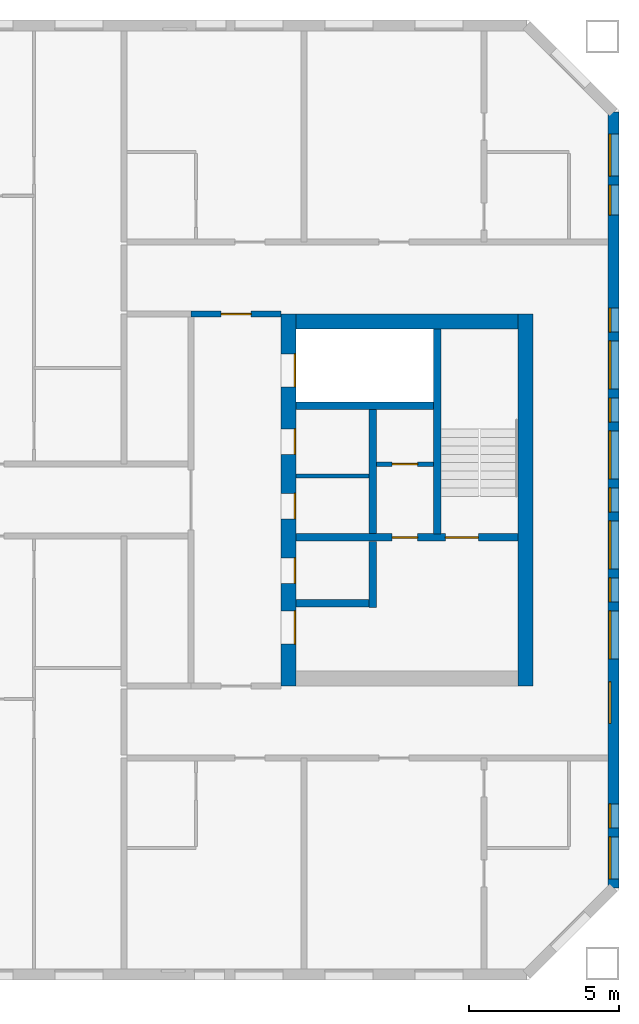
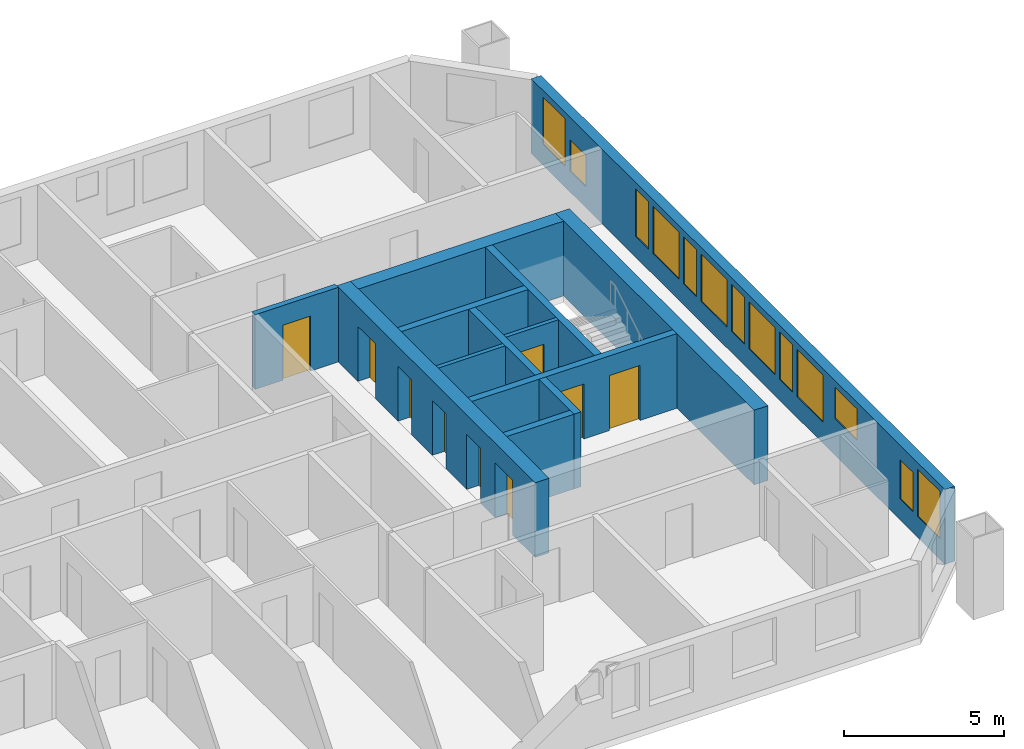
# One storey, part 12 of 15: 13 walls, 13 windows, 9 doors, 22 openings.
"""IFC4 building model written with IfcOpenShell, lengths in metres."""

from ifc_helpers import new_model, si_unit, direction, frame, frame_2d, origin, place, context, subcontext, project, spatial, rectangle, extrude, material, layer, layer_set, type_object, element, fill, save


model = new_model("IFC4")

# Units and contexts
model_context = context("Model", 3, precision=1e-05, world=origin(), true_north=direction((0.0, 1.0)))
body_context = subcontext(model_context, "Body", "Model", "MODEL_VIEW")
ifc_project = project(units=[si_unit("LENGTHUNIT", "METRE"), si_unit("AREAUNIT", "SQUARE_METRE"), si_unit("VOLUMEUNIT", "CUBIC_METRE"), si_unit("PLANEANGLEUNIT", "RADIAN"), si_unit("MASSUNIT", "GRAM", prefix="KILO")], contexts=[model_context])

# Site, building, storey
site_placement = place(None, origin())
site = spatial("IfcSite", under=ifc_project, at=site_placement, CompositionType="ELEMENT")
building_placement = place(site_placement, origin())
building = spatial("IfcBuilding", under=site, at=building_placement, Name="Tuart Gate Housing", CompositionType="ELEMENT")
storey_placement = place(building_placement, frame((0.0, 0.0, 160.89990234375)))
storey = spatial("IfcBuildingStorey", under=building, at=storey_placement, Name="L45", CompositionType="ELEMENT", Elevation=160.89990234375)

# Wall, openings, windows
ifc_material_1 = material(Name="Brick", Category="masonry")
ifc_layer_1 = layer(ifc_material_1, 0.360107421875)
ifc_layer_set_1 = layer_set([ifc_layer_1], Name="Brick pier and spandrel wall 360")
wall_type_1 = type_object("IfcWallType", Name="Brick pier and spandrel wall 360", PredefinedType="STANDARD", material=ifc_layer_set_1)
wall_1_placement = place(storey_placement, frame((171.320068359375, 57.07470703125, 0.0), z_axis=(0.0, 0.0, 1.0), x_axis=(0.0, 1.0, 0.0)))
wall_1 = element("IfcWall", 1, at=wall_1_placement, inside=storey, type_object=wall_type_1, Name="External wall B-E L45", PredefinedType="STANDARD", context=body_context, shape_type="SweptSolid", body=[
    extrude(rectangle(XDim=25.850830078125, YDim=0.360107421875, at=frame_2d((12.92529296875, 0.0))), origin(), (0.0, 0.0, 1.0), 2.85009765625),
])
opening_1_placement = place(wall_1_placement, frame((0.300048828125, 0.0, 0.800048828125)))
opening_1 = element("IfcOpeningElement", 2, at=opening_1_placement, cuts=wall_1, Name="Opening W1A", PredefinedType="OPENING", context=body_context, shape_type="SweptSolid", body=[
    extrude(rectangle(XDim=1.39990234375, YDim=1.800048828125, at=frame_2d((0.699951171875, 0.89990234375))), frame((0.0, 0.18994140625, 0.0), z_axis=(0.0, -1.0, 0.0), x_axis=(1.0, 0.0, 0.0)), (0.0, 0.0, 1.0), 0.380126953125),
])
opening_2_placement = place(wall_1_placement, frame((5.475341796875, 0.0, 1.39990234375)))
opening_2 = element("IfcOpeningElement", 3, at=opening_2_placement, cuts=wall_1, Name="Opening W1M", PredefinedType="OPENING", context=body_context, shape_type="SweptSolid", body=[
    extrude(rectangle(XDim=1.39990234375, YDim=1.199951171875, at=frame_2d((0.699951171875, 0.60009765625))), frame((0.0, 0.18994140625, 0.0), z_axis=(0.0, -1.0, 0.0), x_axis=(1.0, 0.0, 0.0)), (0.0, 0.0, 1.0), 0.380126953125),
])
opening_3_placement = place(wall_1_placement, frame((7.62548828125, 0.0, 0.800048828125)))
opening_3 = element("IfcOpeningElement", 4, at=opening_3_placement, cuts=wall_1, Name="Opening W1", PredefinedType="OPENING", context=body_context, shape_type="SweptSolid", body=[
    extrude(rectangle(XDim=1.60009765625, YDim=1.800048828125, at=frame_2d((0.800048828125, 0.89990234375))), frame((0.0, 0.18994140625, 0.0), z_axis=(0.0, -1.0, 0.0), x_axis=(1.0, 0.0, 0.0)), (0.0, 0.0, 1.0), 0.380126953125),
])
opening_4_placement = place(wall_1_placement, frame((10.62548828125, 0.0, 0.800048828125)))
opening_4 = element("IfcOpeningElement", 5, at=opening_4_placement, cuts=wall_1, Name="Opening W1", PredefinedType="OPENING", context=body_context, shape_type="SweptSolid", body=[
    extrude(rectangle(XDim=1.60009765625, YDim=1.800048828125, at=frame_2d((0.800048828125, 0.89990234375))), frame((0.0, 0.18994140625, 0.0), z_axis=(0.0, -1.0, 0.0), x_axis=(1.0, 0.0, 0.0)), (0.0, 0.0, 1.0), 0.380126953125),
])
opening_5_placement = place(wall_1_placement, frame((13.62548828125, 0.0, 0.800048828125)))
opening_5 = element("IfcOpeningElement", 6, at=opening_5_placement, cuts=wall_1, Name="Opening W1", PredefinedType="OPENING", context=body_context, shape_type="SweptSolid", body=[
    extrude(rectangle(XDim=1.60009765625, YDim=1.800048828125, at=frame_2d((0.800048828125, 0.89990234375))), frame((0.0, 0.18994140625, 0.0), z_axis=(0.0, -1.0, 0.0), x_axis=(1.0, 0.0, 0.0)), (0.0, 0.0, 1.0), 0.380126953125),
])
opening_6_placement = place(wall_1_placement, frame((16.62548828125, 0.0, 0.800048828125)))
opening_6 = element("IfcOpeningElement", 7, at=opening_6_placement, cuts=wall_1, Name="Opening W1", PredefinedType="OPENING", context=body_context, shape_type="SweptSolid", body=[
    extrude(rectangle(XDim=1.60009765625, YDim=1.800048828125, at=frame_2d((0.800048828125, 0.89990234375))), frame((0.0, 0.18994140625, 0.0), z_axis=(0.0, -1.0, 0.0), x_axis=(1.0, 0.0, 0.0)), (0.0, 0.0, 1.0), 0.380126953125),
])
opening_7_placement = place(wall_1_placement, frame((9.525390625, 0.0, 0.800048828125)))
opening_7 = element("IfcOpeningElement", 8, at=opening_7_placement, cuts=wall_1, Name="Opening W1D", PredefinedType="OPENING", context=body_context, shape_type="SweptSolid", body=[
    extrude(rectangle(XDim=0.800048828125, YDim=1.800048828125, at=frame_2d((0.39990234375, 0.89990234375))), frame((0.0, 0.18994140625, 0.0), z_axis=(0.0, -1.0, 0.0), x_axis=(1.0, 0.0, 0.0)), (0.0, 0.0, 1.0), 0.380126953125),
])
opening_8_placement = place(wall_1_placement, frame((22.42529296875, 0.0, 0.800048828125)))
opening_8 = element("IfcOpeningElement", 9, at=opening_8_placement, cuts=wall_1, Name="Opening W1O", PredefinedType="OPENING", context=body_context, shape_type="SweptSolid", body=[
    extrude(rectangle(XDim=1.0, YDim=1.199951171875, at=frame_2d((0.5, 0.60009765625))), frame((0.0, 0.18994140625, 0.0), z_axis=(0.0, -1.0, 0.0), x_axis=(1.0, 0.0, 0.0)), (0.0, 0.0, 1.0), 0.380126953125),
])
opening_9_placement = place(wall_1_placement, frame((2.0, 0.0, 0.800048828125)))
opening_9 = element("IfcOpeningElement", 10, at=opening_9_placement, cuts=wall_1, Name="Opening W1J", PredefinedType="OPENING", context=body_context, shape_type="SweptSolid", body=[
    extrude(rectangle(XDim=0.800048828125, YDim=1.5, at=frame_2d((0.39990234375, 0.75))), frame((0.0, 0.18994140625, 0.0), z_axis=(0.0, -1.0, 0.0), x_axis=(1.0, 0.0, 0.0)), (0.0, 0.0, 1.0), 0.380126953125),
])
opening_10_placement = place(wall_1_placement, frame((12.525390625, 0.0, 0.800048828125)))
opening_10 = element("IfcOpeningElement", 11, at=opening_10_placement, cuts=wall_1, Name="Opening W1D", PredefinedType="OPENING", context=body_context, shape_type="SweptSolid", body=[
    extrude(rectangle(XDim=0.800048828125, YDim=1.800048828125, at=frame_2d((0.39990234375, 0.89990234375))), frame((0.0, 0.18994140625, 0.0), z_axis=(0.0, -1.0, 0.0), x_axis=(1.0, 0.0, 0.0)), (0.0, 0.0, 1.0), 0.380126953125),
])
opening_11_placement = place(wall_1_placement, frame((15.525390625, 0.0, 0.800048828125)))
opening_11 = element("IfcOpeningElement", 12, at=opening_11_placement, cuts=wall_1, Name="Opening W1D", PredefinedType="OPENING", context=body_context, shape_type="SweptSolid", body=[
    extrude(rectangle(XDim=0.800048828125, YDim=1.800048828125, at=frame_2d((0.39990234375, 0.89990234375))), frame((0.0, 0.18994140625, 0.0), z_axis=(0.0, -1.0, 0.0), x_axis=(1.0, 0.0, 0.0)), (0.0, 0.0, 1.0), 0.380126953125),
])
opening_12_placement = place(wall_1_placement, frame((18.525390625, 0.0, 0.800048828125)))
opening_12 = element("IfcOpeningElement", 13, at=opening_12_placement, cuts=wall_1, Name="Opening W1D", PredefinedType="OPENING", context=body_context, shape_type="SweptSolid", body=[
    extrude(rectangle(XDim=0.800048828125, YDim=1.800048828125, at=frame_2d((0.39990234375, 0.89990234375))), frame((0.0, 0.18994140625, 0.0), z_axis=(0.0, -1.0, 0.0), x_axis=(1.0, 0.0, 0.0)), (0.0, 0.0, 1.0), 0.380126953125),
])
opening_13_placement = place(wall_1_placement, frame((23.725341796875, 0.0, 0.800048828125)))
opening_13 = element("IfcOpeningElement", 14, at=opening_13_placement, cuts=wall_1, Name="Opening W1A", PredefinedType="OPENING", context=body_context, shape_type="SweptSolid", body=[
    extrude(rectangle(XDim=1.39990234375, YDim=1.800048828125, at=frame_2d((0.699951171875, 0.89990234375))), frame((0.0, 0.18994140625, 0.0), z_axis=(0.0, -1.0, 0.0), x_axis=(1.0, 0.0, 0.0)), (0.0, 0.0, 1.0), 0.380126953125),
])
ifc_material_2 = material(Name="Aluminium frame with clear glass", Category="aluminium")
window_type_1 = type_object("IfcWindowType", Name="Punched window 1000 x 1200", PartitioningType="SINGLE_PANEL", PredefinedType="WINDOW", material=ifc_material_2)
window_1_placement = place(opening_8_placement, origin())
window_1 = element("IfcWindow", 15, at=window_1_placement, inside=storey, type_object=window_type_1, Name="Window W1O", OverallHeight=1.199951171875, OverallWidth=1.0, PartitioningType="SINGLE_PANEL", PredefinedType="WINDOW", context=body_context, shape_type="SweptSolid", body=[
    extrude(rectangle(XDim=1.0, YDim=1.199951171875, at=frame_2d((0.5, 0.60009765625))), frame((0.0, 0.150146484375, 0.0), z_axis=(0.0, -1.0, 0.0), x_axis=(1.0, 0.0, 0.0)), (0.0, 0.0, 1.0), 0.06005859375),
])
fill(opening_8, window_1)
ifc_material_3 = material(Name="Aluminium frame with clear glass", Category="aluminium")
window_type_2 = type_object("IfcWindowType", Name="Punched window 1400 x 1200", PartitioningType="SINGLE_PANEL", PredefinedType="WINDOW", material=ifc_material_3)
window_2_placement = place(opening_2_placement, origin())
window_2 = element("IfcWindow", 16, at=window_2_placement, inside=storey, type_object=window_type_2, Name="Window W1M", OverallHeight=1.199951171875, OverallWidth=1.39990234375, PartitioningType="SINGLE_PANEL", PredefinedType="WINDOW", context=body_context, shape_type="SweptSolid", body=[
    extrude(rectangle(XDim=1.39990234375, YDim=1.199951171875, at=frame_2d((0.699951171875, 0.60009765625))), frame((0.0, 0.150146484375, 0.0), z_axis=(0.0, -1.0, 0.0), x_axis=(1.0, 0.0, 0.0)), (0.0, 0.0, 1.0), 0.06005859375),
])
fill(opening_2, window_2)
ifc_material_4 = material(Name="Aluminium frame with clear glass", Category="aluminium")
window_type_3 = type_object("IfcWindowType", Name="Punched window 1400 x 1800", PartitioningType="SINGLE_PANEL", PredefinedType="WINDOW", material=ifc_material_4)
window_3_placement = place(opening_1_placement, origin())
window_3 = element("IfcWindow", 17, at=window_3_placement, inside=storey, type_object=window_type_3, Name="Window W1A", OverallHeight=1.800048828125, OverallWidth=1.39990234375, PartitioningType="SINGLE_PANEL", PredefinedType="WINDOW", context=body_context, shape_type="SweptSolid", body=[
    extrude(rectangle(XDim=1.39990234375, YDim=1.800048828125, at=frame_2d((0.699951171875, 0.89990234375))), frame((0.0, 0.150146484375, 0.0), z_axis=(0.0, -1.0, 0.0), x_axis=(1.0, 0.0, 0.0)), (0.0, 0.0, 1.0), 0.06005859375),
])
fill(opening_1, window_3)
window_4_placement = place(opening_13_placement, origin())
window_4 = element("IfcWindow", 18, at=window_4_placement, inside=storey, type_object=window_type_3, Name="Window W1A", OverallHeight=1.800048828125, OverallWidth=1.39990234375, PartitioningType="SINGLE_PANEL", PredefinedType="WINDOW", context=body_context, shape_type="SweptSolid", body=[
    extrude(rectangle(XDim=1.39990234375, YDim=1.800048828125, at=frame_2d((0.699951171875, 0.89990234375))), frame((0.0, 0.150146484375, 0.0), z_axis=(0.0, -1.0, 0.0), x_axis=(1.0, 0.0, 0.0)), (0.0, 0.0, 1.0), 0.06005859375),
])
fill(opening_13, window_4)
ifc_material_5 = material(Name="Aluminium frame with clear glass", Category="aluminium")
window_type_4 = type_object("IfcWindowType", Name="Punched window 1600 x 1800", PartitioningType="SINGLE_PANEL", PredefinedType="WINDOW", material=ifc_material_5)
window_5_placement = place(opening_3_placement, origin())
window_5 = element("IfcWindow", 19, at=window_5_placement, inside=storey, type_object=window_type_4, Name="Window W1", OverallHeight=1.800048828125, OverallWidth=1.60009765625, PartitioningType="SINGLE_PANEL", PredefinedType="WINDOW", context=body_context, shape_type="SweptSolid", body=[
    extrude(rectangle(XDim=1.60009765625, YDim=1.800048828125, at=frame_2d((0.800048828125, 0.89990234375))), frame((0.0, 0.150146484375, 0.0), z_axis=(0.0, -1.0, 0.0), x_axis=(1.0, 0.0, 0.0)), (0.0, 0.0, 1.0), 0.06005859375),
])
fill(opening_3, window_5)
window_6_placement = place(opening_4_placement, origin())
window_6 = element("IfcWindow", 20, at=window_6_placement, inside=storey, type_object=window_type_4, Name="Window W1", OverallHeight=1.800048828125, OverallWidth=1.60009765625, PartitioningType="SINGLE_PANEL", PredefinedType="WINDOW", context=body_context, shape_type="SweptSolid", body=[
    extrude(rectangle(XDim=1.60009765625, YDim=1.800048828125, at=frame_2d((0.800048828125, 0.89990234375))), frame((0.0, 0.150146484375, 0.0), z_axis=(0.0, -1.0, 0.0), x_axis=(1.0, 0.0, 0.0)), (0.0, 0.0, 1.0), 0.06005859375),
])
fill(opening_4, window_6)
window_7_placement = place(opening_5_placement, origin())
window_7 = element("IfcWindow", 21, at=window_7_placement, inside=storey, type_object=window_type_4, Name="Window W1", OverallHeight=1.800048828125, OverallWidth=1.60009765625, PartitioningType="SINGLE_PANEL", PredefinedType="WINDOW", context=body_context, shape_type="SweptSolid", body=[
    extrude(rectangle(XDim=1.60009765625, YDim=1.800048828125, at=frame_2d((0.800048828125, 0.89990234375))), frame((0.0, 0.150146484375, 0.0), z_axis=(0.0, -1.0, 0.0), x_axis=(1.0, 0.0, 0.0)), (0.0, 0.0, 1.0), 0.06005859375),
])
fill(opening_5, window_7)
window_8_placement = place(opening_6_placement, origin())
window_8 = element("IfcWindow", 22, at=window_8_placement, inside=storey, type_object=window_type_4, Name="Window W1", OverallHeight=1.800048828125, OverallWidth=1.60009765625, PartitioningType="SINGLE_PANEL", PredefinedType="WINDOW", context=body_context, shape_type="SweptSolid", body=[
    extrude(rectangle(XDim=1.60009765625, YDim=1.800048828125, at=frame_2d((0.800048828125, 0.89990234375))), frame((0.0, 0.150146484375, 0.0), z_axis=(0.0, -1.0, 0.0), x_axis=(1.0, 0.0, 0.0)), (0.0, 0.0, 1.0), 0.06005859375),
])
fill(opening_6, window_8)
ifc_material_6 = material(Name="Aluminium frame with clear glass", Category="aluminium")
window_type_5 = type_object("IfcWindowType", Name="Punched window 800 x 1500", PartitioningType="SINGLE_PANEL", PredefinedType="WINDOW", material=ifc_material_6)
window_9_placement = place(opening_9_placement, origin())
window_9 = element("IfcWindow", 23, at=window_9_placement, inside=storey, type_object=window_type_5, Name="Window W1J", OverallHeight=1.5, OverallWidth=0.800048828125, PartitioningType="SINGLE_PANEL", PredefinedType="WINDOW", context=body_context, shape_type="SweptSolid", body=[
    extrude(rectangle(XDim=0.800048828125, YDim=1.5, at=frame_2d((0.39990234375, 0.75))), frame((0.0, 0.150146484375, 0.0), z_axis=(0.0, -1.0, 0.0), x_axis=(1.0, 0.0, 0.0)), (0.0, 0.0, 1.0), 0.06005859375),
])
fill(opening_9, window_9)
ifc_material_7 = material(Name="Aluminium frame with clear glass", Category="aluminium")
window_type_6 = type_object("IfcWindowType", Name="Punched window 800 x 1800", PartitioningType="SINGLE_PANEL", PredefinedType="WINDOW", material=ifc_material_7)
window_10_placement = place(opening_7_placement, origin())
window_10 = element("IfcWindow", 24, at=window_10_placement, inside=storey, type_object=window_type_6, Name="Window W1D", OverallHeight=1.800048828125, OverallWidth=0.800048828125, PartitioningType="SINGLE_PANEL", PredefinedType="WINDOW", context=body_context, shape_type="SweptSolid", body=[
    extrude(rectangle(XDim=0.800048828125, YDim=1.800048828125, at=frame_2d((0.39990234375, 0.89990234375))), frame((0.0, 0.150146484375, 0.0), z_axis=(0.0, -1.0, 0.0), x_axis=(1.0, 0.0, 0.0)), (0.0, 0.0, 1.0), 0.06005859375),
])
fill(opening_7, window_10)
window_11_placement = place(opening_10_placement, origin())
window_11 = element("IfcWindow", 25, at=window_11_placement, inside=storey, type_object=window_type_6, Name="Window W1D", OverallHeight=1.800048828125, OverallWidth=0.800048828125, PartitioningType="SINGLE_PANEL", PredefinedType="WINDOW", context=body_context, shape_type="SweptSolid", body=[
    extrude(rectangle(XDim=0.800048828125, YDim=1.800048828125, at=frame_2d((0.39990234375, 0.89990234375))), frame((0.0, 0.150146484375, 0.0), z_axis=(0.0, -1.0, 0.0), x_axis=(1.0, 0.0, 0.0)), (0.0, 0.0, 1.0), 0.06005859375),
])
fill(opening_10, window_11)
window_12_placement = place(opening_11_placement, origin())
window_12 = element("IfcWindow", 26, at=window_12_placement, inside=storey, type_object=window_type_6, Name="Window W1D", OverallHeight=1.800048828125, OverallWidth=0.800048828125, PartitioningType="SINGLE_PANEL", PredefinedType="WINDOW", context=body_context, shape_type="SweptSolid", body=[
    extrude(rectangle(XDim=0.800048828125, YDim=1.800048828125, at=frame_2d((0.39990234375, 0.89990234375))), frame((0.0, 0.150146484375, 0.0), z_axis=(0.0, -1.0, 0.0), x_axis=(1.0, 0.0, 0.0)), (0.0, 0.0, 1.0), 0.06005859375),
])
fill(opening_11, window_12)
window_13_placement = place(opening_12_placement, origin())
window_13 = element("IfcWindow", 27, at=window_13_placement, inside=storey, type_object=window_type_6, Name="Window W1D", OverallHeight=1.800048828125, OverallWidth=0.800048828125, PartitioningType="SINGLE_PANEL", PredefinedType="WINDOW", context=body_context, shape_type="SweptSolid", body=[
    extrude(rectangle(XDim=0.800048828125, YDim=1.800048828125, at=frame_2d((0.39990234375, 0.89990234375))), frame((0.0, 0.150146484375, 0.0), z_axis=(0.0, -1.0, 0.0), x_axis=(1.0, 0.0, 0.0)), (0.0, 0.0, 1.0), 0.06005859375),
])
fill(opening_12, window_13)

# Wall, opening, door
ifc_material_8 = material(Name="Plasterboard partition")
ifc_layer_2 = layer(ifc_material_8, 0.14990234375)
ifc_layer_set_2 = layer_set([ifc_layer_2], Name="Core partition 150")
wall_type_2 = type_object("IfcWallType", Name="Core partition 150", PredefinedType="PARTITIONING", material=ifc_layer_set_2)
wall_2_placement = place(storey_placement, frame((163.4150390625, 71.199951171875, 0.0), z_axis=(0.0, 0.0, 1.0), x_axis=(1.0, 0.0, 0.0)))
wall_2 = element("IfcWall", 28, at=wall_2_placement, inside=storey, type_object=wall_type_2, Name="Core partition BK.2", PredefinedType="PARTITIONING", context=body_context, shape_type="SweptSolid", body=[
    extrude(rectangle(XDim=1.89990234375, YDim=0.14990234375, at=frame_2d((0.949951171875, 0.0))), origin(), (0.0, 0.0, 1.0), 2.85009765625),
])
opening_14_placement = place(wall_2_placement, frame((0.52490234375, 0.0, 0.0)))
opening_14 = element("IfcOpeningElement", 29, at=opening_14_placement, cuts=wall_2, Name="Opening D1703", PredefinedType="OPENING", context=body_context, shape_type="SweptSolid", body=[
    extrude(rectangle(XDim=0.85009765625, YDim=2.10009765625, at=frame_2d((0.425048828125, 1.050048828125))), frame((0.0, 0.0849609375, 0.0), z_axis=(0.0, -1.0, 0.0), x_axis=(1.0, 0.0, 0.0)), (0.0, 0.0, 1.0), 0.169921875),
])
ifc_material_9 = material(Name="Steel fire door", Category="steel")
door_type_1 = type_object("IfcDoorType", Name="Service door 850 x 2100 RH", OperationType="SINGLE_SWING_RIGHT", PredefinedType="DOOR", material=ifc_material_9)
door_1_placement = place(opening_14_placement, frame((0.85009765625, 0.0, 0.0), z_axis=(0.0, 0.0, 1.0), x_axis=(-1.0, 0.0, 0.0)))
door_1 = element("IfcDoor", 30, at=door_1_placement, inside=storey, type_object=door_type_1, Name="Service room door BK.W2", OperationType="SINGLE_SWING_RIGHT", OverallHeight=2.10009765625, OverallWidth=0.85009765625, PredefinedType="DOOR", context=body_context, shape_type="SweptSolid", body=[
    extrude(rectangle(XDim=0.85009765625, YDim=2.10009765625, at=frame_2d((0.425048828125, 1.050048828125))), frame((0.0, 0.025146484375, 0.0), z_axis=(0.0, -1.0, 0.0), x_axis=(1.0, 0.0, 0.0)), (0.0, 0.0, 1.0), 0.050048828125),
])
fill(opening_14, door_1)

# Walls
wall_3_placement = place(storey_placement, frame((160.739990234375, 70.800048828125, 0.0), z_axis=(0.0, 0.0, 1.0), x_axis=(1.0, 0.0, 0.0)))
element("IfcWall", 31, at=wall_3_placement, inside=storey, type_object=wall_type_2, Name="Core partition BK.3", PredefinedType="PARTITIONING", context=body_context, shape_type="SweptSolid", body=[
    extrude(rectangle(XDim=2.425048828125, YDim=0.14990234375, at=frame_2d((1.21240234375, 0.0))), origin(), (0.0, 0.0, 1.0), 2.85009765625),
])
ifc_material_10 = material(Name="Concrete C40", Category="concrete")
ifc_layer_3 = layer(ifc_material_10, 0.25)
ifc_layer_set_3 = layer_set([ifc_layer_3], Name="Core wall 250 C40")
wall_type_3 = type_object("IfcWallType", Name="Core wall 250 C40", PredefinedType="SHEAR", material=ifc_layer_set_3)
wall_4_placement = place(storey_placement, frame((160.739990234375, 73.14990234375, 0.0), z_axis=(0.0, 0.0, 1.0), x_axis=(1.0, 0.0, 0.0)))
element("IfcWall", 32, at=wall_4_placement, inside=storey, type_object=wall_type_3, Name="Core wall BK.1", PredefinedType="SHEAR", context=body_context, shape_type="SweptSolid", body=[
    extrude(rectangle(XDim=4.574951171875, YDim=0.25, at=frame_2d((2.28759765625, 0.0))), origin(), (0.0, 0.0, 1.0), 2.85009765625),
])

# Wall, openings, doors
wall_5_placement = place(storey_placement, frame((160.739990234375, 68.75, 0.0), z_axis=(0.0, 0.0, 1.0), x_axis=(1.0, 0.0, 0.0)))
wall_5 = element("IfcWall", 33, at=wall_5_placement, inside=storey, type_object=wall_type_3, Name="Core wall BK.4", PredefinedType="SHEAR", context=body_context, shape_type="SweptSolid", body=[
    extrude(rectangle(XDim=7.39990234375, YDim=0.25, at=frame_2d((3.699951171875, 0.0))), origin(), (0.0, 0.0, 1.0), 2.85009765625),
])
opening_15_placement = place(wall_5_placement, frame((4.97509765625, 0.0, 0.0)))
opening_15 = element("IfcOpeningElement", 34, at=opening_15_placement, cuts=wall_5, Name="Opening D1715", PredefinedType="OPENING", context=body_context, shape_type="SweptSolid", body=[
    extrude(rectangle(XDim=1.10009765625, YDim=2.10009765625, at=frame_2d((0.550048828125, 1.050048828125))), frame((0.0, 0.135009765625, 0.0), z_axis=(0.0, -1.0, 0.0), x_axis=(1.0, 0.0, 0.0)), (0.0, 0.0, 1.0), 0.27001953125),
])
opening_16_placement = place(wall_5_placement, frame((3.199951171875, 0.0, 0.0)))
opening_16 = element("IfcOpeningElement", 35, at=opening_16_placement, cuts=wall_5, Name="Opening D1714", PredefinedType="OPENING", context=body_context, shape_type="SweptSolid", body=[
    extrude(rectangle(XDim=0.85009765625, YDim=2.10009765625, at=frame_2d((0.425048828125, 1.050048828125))), frame((0.0, 0.135009765625, 0.0), z_axis=(0.0, -1.0, 0.0), x_axis=(1.0, 0.0, 0.0)), (0.0, 0.0, 1.0), 0.27001953125),
])
ifc_material_11 = material(Name="Steel fire door", Category="steel")
door_type_2 = type_object("IfcDoorType", Name="Riser door 850 x 2100", OperationType="SINGLE_SWING_LEFT", PredefinedType="DOOR", material=ifc_material_11)
door_2_placement = place(opening_16_placement, origin())
door_2 = element("IfcDoor", 36, at=door_2_placement, inside=storey, type_object=door_type_2, Name="Service room door BK.W1", OperationType="SINGLE_SWING_LEFT", OverallHeight=2.10009765625, OverallWidth=0.85009765625, PredefinedType="DOOR", context=body_context, shape_type="SweptSolid", body=[
    extrude(rectangle(XDim=0.85009765625, YDim=2.10009765625, at=frame_2d((0.425048828125, 1.050048828125))), frame((0.0, 0.02490234375, 0.0), z_axis=(0.0, -1.0, 0.0), x_axis=(1.0, 0.0, 0.0)), (0.0, 0.0, 1.0), 0.050048828125),
])
fill(opening_16, door_2)
ifc_material_12 = material(Name="Steel fire door", Category="steel")
door_type_3 = type_object("IfcDoorType", Name="Stair door 1100 x 2100", OperationType="SINGLE_SWING_LEFT", PredefinedType="DOOR", material=ifc_material_12)
door_3_placement = place(opening_15_placement, origin())
door_3 = element("IfcDoor", 37, at=door_3_placement, inside=storey, type_object=door_type_3, Name="Stair door BK.SD", OperationType="SINGLE_SWING_LEFT", OverallHeight=2.10009765625, OverallWidth=1.10009765625, PredefinedType="DOOR", context=body_context, shape_type="SweptSolid", body=[
    extrude(rectangle(XDim=1.10009765625, YDim=2.10009765625, at=frame_2d((0.550048828125, 1.050048828125))), frame((0.0, 0.02490234375, 0.0), z_axis=(0.0, -1.0, 0.0), x_axis=(1.0, 0.0, 0.0)), (0.0, 0.0, 1.0), 0.050048828125),
])
fill(opening_15, door_3)

# Walls
wall_6_placement = place(storey_placement, frame((160.739990234375, 66.550048828125, 0.0), z_axis=(0.0, 0.0, 1.0), x_axis=(1.0, 0.0, 0.0)))
element("IfcWall", 38, at=wall_6_placement, inside=storey, type_object=wall_type_3, Name="Core wall BK.5", PredefinedType="SHEAR", context=body_context, shape_type="SweptSolid", body=[
    extrude(rectangle(XDim=2.425048828125, YDim=0.25, at=frame_2d((1.21240234375, 0.0))), origin(), (0.0, 0.0, 1.0), 2.85009765625),
])
wall_7_placement = place(storey_placement, frame((163.2900390625, 73.02490234375, 0.0), z_axis=(0.0, 0.0, 1.0), x_axis=(0.0, -1.0, 0.0)))
element("IfcWall", 39, at=wall_7_placement, inside=storey, type_object=wall_type_3, Name="Core wall BK.6", PredefinedType="SHEAR", context=body_context, shape_type="SweptSolid", body=[
    extrude(rectangle(XDim=4.14990234375, YDim=0.25, at=frame_2d((2.074951171875, 0.0))), origin(), (0.0, 0.0, 1.0), 2.85009765625),
])
wall_8_placement = place(storey_placement, frame((163.2900390625, 68.625, 0.0), z_axis=(0.0, 0.0, 1.0), x_axis=(0.0, -1.0, 0.0)))
element("IfcWall", 40, at=wall_8_placement, inside=storey, type_object=wall_type_3, Name="Core wall BK.7", PredefinedType="SHEAR", context=body_context, shape_type="SweptSolid", body=[
    extrude(rectangle(XDim=2.199951171875, YDim=0.25, at=frame_2d((1.10009765625, 0.0))), origin(), (0.0, 0.0, 1.0), 2.85009765625),
])
wall_9_placement = place(storey_placement, frame((165.43994140625, 75.699951171875, 0.0), z_axis=(0.0, 0.0, 1.0), x_axis=(0.0, -1.0, 0.0)))
element("IfcWall", 41, at=wall_9_placement, inside=storey, type_object=wall_type_3, Name="Core wall BK.8", PredefinedType="SHEAR", context=body_context, shape_type="SweptSolid", body=[
    extrude(rectangle(XDim=6.824951171875, YDim=0.25, at=frame_2d((3.41259765625, 0.0))), origin(), (0.0, 0.0, 1.0), 2.85009765625),
])

# Wall, openings, doors
ifc_material_13 = material(Name="Concrete C40", Category="concrete")
ifc_layer_4 = layer(ifc_material_13, 0.5)
ifc_layer_set_4 = layer_set([ifc_layer_4], Name="Core wall 500 C40")
wall_type_4 = type_object("IfcWallType", Name="Core wall 500 C40", PredefinedType="SHEAR", material=ifc_layer_set_4)
wall_10_placement = place(storey_placement, frame((160.489990234375, 76.199951171875, 0.0), z_axis=(0.0, 0.0, 1.0), x_axis=(0.0, -1.0, 0.0)))
wall_10 = element("IfcWall", 42, at=wall_10_placement, inside=storey, type_object=wall_type_4, Name="Core wall BK front", PredefinedType="SHEAR", context=body_context, shape_type="SweptSolid", body=[
    extrude(rectangle(XDim=12.39990234375, YDim=0.5, at=frame_2d((6.199951171875, 0.0))), origin(), (0.0, 0.0, 1.0), 2.85009765625),
])
opening_17_placement = place(wall_10_placement, frame((1.324951171875, 0.0, 0.0)))
opening_17 = element("IfcOpeningElement", 43, at=opening_17_placement, cuts=wall_10, Name="Opening LD-FB2", PredefinedType="OPENING", context=body_context, shape_type="SweptSolid", body=[
    extrude(rectangle(XDim=1.10009765625, YDim=2.10009765625, at=frame_2d((0.550048828125, 1.050048828125))), frame((0.0, 0.260009765625, 0.0), z_axis=(0.0, -1.0, 0.0), x_axis=(1.0, 0.0, 0.0)), (0.0, 0.0, 1.0), 0.52001953125),
])
opening_18_placement = place(wall_10_placement, frame((3.824951171875, 0.0, 0.0)))
opening_18 = element("IfcOpeningElement", 44, at=opening_18_placement, cuts=wall_10, Name="Opening D1709", PredefinedType="OPENING", context=body_context, shape_type="SweptSolid", body=[
    extrude(rectangle(XDim=0.85009765625, YDim=2.10009765625, at=frame_2d((0.425048828125, 1.050048828125))), frame((0.0, 0.260009765625, 0.0), z_axis=(0.0, -1.0, 0.0), x_axis=(1.0, 0.0, 0.0)), (0.0, 0.0, 1.0), 0.52001953125),
])
opening_19_placement = place(wall_10_placement, frame((5.97509765625, 0.0, 0.0)))
opening_19 = element("IfcOpeningElement", 45, at=opening_19_placement, cuts=wall_10, Name="Opening D1710", PredefinedType="OPENING", context=body_context, shape_type="SweptSolid", body=[
    extrude(rectangle(XDim=0.85009765625, YDim=2.10009765625, at=frame_2d((0.425048828125, 1.050048828125))), frame((0.0, 0.260009765625, 0.0), z_axis=(0.0, -1.0, 0.0), x_axis=(1.0, 0.0, 0.0)), (0.0, 0.0, 1.0), 0.52001953125),
])
opening_20_placement = place(wall_10_placement, frame((9.89990234375, 0.0, 0.0)))
opening_20 = element("IfcOpeningElement", 46, at=opening_20_placement, cuts=wall_10, Name="Opening D1708", PredefinedType="OPENING", context=body_context, shape_type="SweptSolid", body=[
    extrude(rectangle(XDim=1.10009765625, YDim=2.10009765625, at=frame_2d((0.550048828125, 1.050048828125))), frame((0.0, 0.260009765625, 0.0), z_axis=(0.0, -1.0, 0.0), x_axis=(1.0, 0.0, 0.0)), (0.0, 0.0, 1.0), 0.52001953125),
])
opening_21_placement = place(wall_10_placement, frame((8.125, 0.0, 0.0)))
opening_21 = element("IfcOpeningElement", 47, at=opening_21_placement, cuts=wall_10, Name="Opening D1711", PredefinedType="OPENING", context=body_context, shape_type="SweptSolid", body=[
    extrude(rectangle(XDim=0.85009765625, YDim=2.10009765625, at=frame_2d((0.425048828125, 1.050048828125))), frame((0.0, 0.260009765625, 0.0), z_axis=(0.0, -1.0, 0.0), x_axis=(1.0, 0.0, 0.0)), (0.0, 0.0, 1.0), 0.52001953125),
])
ifc_material_14 = material(Name="Stainless steel", Category="steel")
door_type_4 = type_object("IfcDoorType", Name="Landing door 1100 x 2100", OperationType="DOUBLE_DOOR_SLIDING", PredefinedType="DOOR", material=ifc_material_14)
door_4_placement = place(opening_17_placement, origin())
door_4 = element("IfcDoor", 48, at=door_4_placement, inside=storey, type_object=door_type_4, Name="Lift landing door FB2", OperationType="DOUBLE_DOOR_SLIDING", OverallHeight=2.10009765625, OverallWidth=1.10009765625, PredefinedType="DOOR", context=body_context, shape_type="SweptSolid", body=[
    extrude(rectangle(XDim=1.10009765625, YDim=2.10009765625, at=frame_2d((0.550048828125, 1.050048828125))), frame((0.0, 0.23486328125, 0.0), z_axis=(0.0, -1.0, 0.0), x_axis=(1.0, 0.0, 0.0)), (0.0, 0.0, 1.0), 0.050048828125),
])
fill(opening_17, door_4)
ifc_material_15 = material(Name="Steel fire door", Category="steel")
door_type_5 = type_object("IfcDoorType", Name="Lobby door 1100 x 2100", OperationType="SINGLE_SWING_LEFT", PredefinedType="DOOR", material=ifc_material_15)
door_5_placement = place(opening_20_placement, origin())
door_5 = element("IfcDoor", 49, at=door_5_placement, inside=storey, type_object=door_type_5, Name="Lobby entry door BK.EN", OperationType="SINGLE_SWING_LEFT", OverallHeight=2.10009765625, OverallWidth=1.10009765625, PredefinedType="DOOR", context=body_context, shape_type="SweptSolid", body=[
    extrude(rectangle(XDim=1.10009765625, YDim=2.10009765625, at=frame_2d((0.550048828125, 1.050048828125))), frame((0.0, 0.23486328125, 0.0), z_axis=(0.0, -1.0, 0.0), x_axis=(1.0, 0.0, 0.0)), (0.0, 0.0, 1.0), 0.050048828125),
])
fill(opening_20, door_5)
ifc_material_16 = material(Name="Steel fire door", Category="steel")
door_type_6 = type_object("IfcDoorType", Name="Service door 850 x 2100", OperationType="SINGLE_SWING_LEFT", PredefinedType="DOOR", material=ifc_material_16)
door_6_placement = place(opening_18_placement, origin())
door_6 = element("IfcDoor", 50, at=door_6_placement, inside=storey, type_object=door_type_6, Name="Service room door BK.FR1", OperationType="SINGLE_SWING_LEFT", OverallHeight=2.10009765625, OverallWidth=0.85009765625, PredefinedType="DOOR", context=body_context, shape_type="SweptSolid", body=[
    extrude(rectangle(XDim=0.85009765625, YDim=2.10009765625, at=frame_2d((0.425048828125, 1.050048828125))), frame((0.0, 0.23486328125, 0.0), z_axis=(0.0, -1.0, 0.0), x_axis=(1.0, 0.0, 0.0)), (0.0, 0.0, 1.0), 0.050048828125),
])
fill(opening_18, door_6)
door_7_placement = place(opening_19_placement, origin())
door_7 = element("IfcDoor", 51, at=door_7_placement, inside=storey, type_object=door_type_6, Name="Service room door BK.FR2", OperationType="SINGLE_SWING_LEFT", OverallHeight=2.10009765625, OverallWidth=0.85009765625, PredefinedType="DOOR", context=body_context, shape_type="SweptSolid", body=[
    extrude(rectangle(XDim=0.85009765625, YDim=2.10009765625, at=frame_2d((0.425048828125, 1.050048828125))), frame((0.0, 0.23486328125, 0.0), z_axis=(0.0, -1.0, 0.0), x_axis=(1.0, 0.0, 0.0)), (0.0, 0.0, 1.0), 0.050048828125),
])
fill(opening_19, door_7)
door_8_placement = place(opening_21_placement, origin())
door_8 = element("IfcDoor", 52, at=door_8_placement, inside=storey, type_object=door_type_6, Name="Service room door BK.T1", OperationType="SINGLE_SWING_LEFT", OverallHeight=2.10009765625, OverallWidth=0.85009765625, PredefinedType="DOOR", context=body_context, shape_type="SweptSolid", body=[
    extrude(rectangle(XDim=0.85009765625, YDim=2.10009765625, at=frame_2d((0.425048828125, 1.050048828125))), frame((0.0, 0.23486328125, 0.0), z_axis=(0.0, -1.0, 0.0), x_axis=(1.0, 0.0, 0.0)), (0.0, 0.0, 1.0), 0.050048828125),
])
fill(opening_21, door_8)

# Walls
wall_11_placement = place(storey_placement, frame((168.389892578125, 76.199951171875, 0.0), z_axis=(0.0, 0.0, 1.0), x_axis=(0.0, -1.0, 0.0)))
element("IfcWall", 53, at=wall_11_placement, inside=storey, type_object=wall_type_4, Name="Core wall BK back", PredefinedType="SHEAR", context=body_context, shape_type="SweptSolid", body=[
    extrude(rectangle(XDim=12.39990234375, YDim=0.5, at=frame_2d((6.199951171875, 0.0))), origin(), (0.0, 0.0, 1.0), 2.85009765625),
])
wall_12_placement = place(storey_placement, frame((160.739990234375, 75.949951171875, 0.0), z_axis=(0.0, 0.0, 1.0), x_axis=(1.0, 0.0, 0.0)))
element("IfcWall", 54, at=wall_12_placement, inside=storey, type_object=wall_type_4, Name="Core wall BK south", PredefinedType="SHEAR", context=body_context, shape_type="SweptSolid", body=[
    extrude(rectangle(XDim=7.39990234375, YDim=0.5, at=frame_2d((3.699951171875, 0.0))), origin(), (0.0, 0.0, 1.0), 2.85009765625),
])

# Wall, opening, door
ifc_material_17 = material(Name="Concrete masonry 15 MPa", Category="masonry")
ifc_layer_5 = layer(ifc_material_17, 0.199951171875)
ifc_layer_set_5 = layer_set([ifc_layer_5], Name="Enclosure wall masonry 200")
wall_type_5 = type_object("IfcWallType", Name="Enclosure wall masonry 200", PredefinedType="PARTITIONING", material=ifc_layer_set_5)
wall_13_placement = place(storey_placement, frame((157.239990234375, 76.199951171875, 0.0), z_axis=(0.0, 0.0, 1.0), x_axis=(1.0, 0.0, 0.0)))
wall_13 = element("IfcWall", 55, at=wall_13_placement, inside=storey, type_object=wall_type_5, Name="Enclosure wall masonry 200", PredefinedType="PARTITIONING", context=body_context, shape_type="SweptSolid", body=[
    extrude(rectangle(XDim=3.0, YDim=0.199951171875, at=frame_2d((1.5, 0.0))), origin(), (0.0, 0.0, 1.0), 2.85009765625),
])
opening_22_placement = place(wall_13_placement, frame((1.0, 0.0, 0.0)))
opening_22 = element("IfcOpeningElement", 56, at=opening_22_placement, cuts=wall_13, Name="Opening D1697", PredefinedType="OPENING", context=body_context, shape_type="SweptSolid", body=[
    extrude(rectangle(XDim=1.0, YDim=2.10009765625, at=frame_2d((0.5, 1.050048828125))), frame((0.0, 0.10986328125, 0.0), z_axis=(0.0, -1.0, 0.0), x_axis=(1.0, 0.0, 0.0)), (0.0, 0.0, 1.0), 0.219970703125),
])
ifc_material_18 = material(Name="Timber door leaf in steel frame", Category="steel")
door_type_7 = type_object("IfcDoorType", Name="Fire door 1000", OperationType="SINGLE_SWING_LEFT", PredefinedType="DOOR", material=ifc_material_18)
door_9_placement = place(opening_22_placement, origin())
door_9 = element("IfcDoor", 57, at=door_9_placement, inside=storey, type_object=door_type_7, Name="Fire door", OperationType="SINGLE_SWING_LEFT", OverallHeight=2.10009765625, OverallWidth=1.0, PredefinedType="DOOR", context=body_context, shape_type="SweptSolid", body=[
    extrude(rectangle(XDim=1.0, YDim=2.10009765625, at=frame_2d((0.5, 1.050048828125))), frame((0.0, 0.02490234375, 0.0), z_axis=(0.0, -1.0, 0.0), x_axis=(1.0, 0.0, 0.0)), (0.0, 0.0, 1.0), 0.050048828125),
])
fill(opening_22, door_9)

save(model, "model.ifc")
